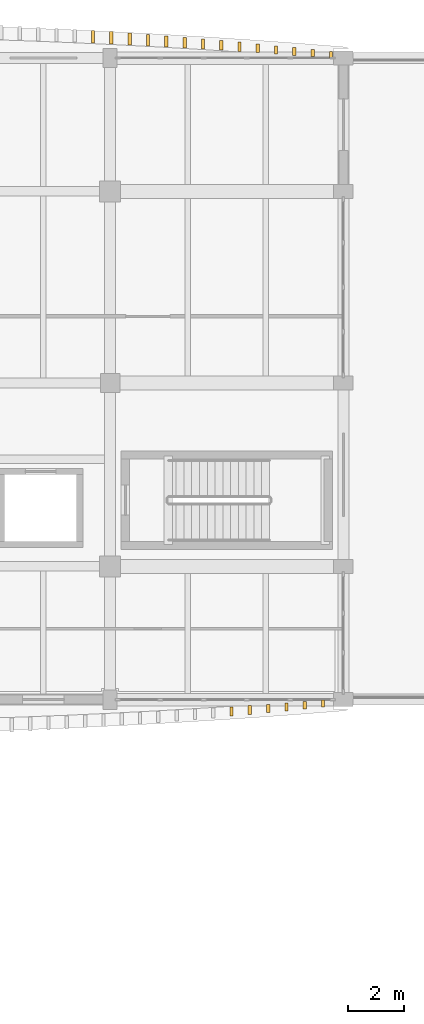
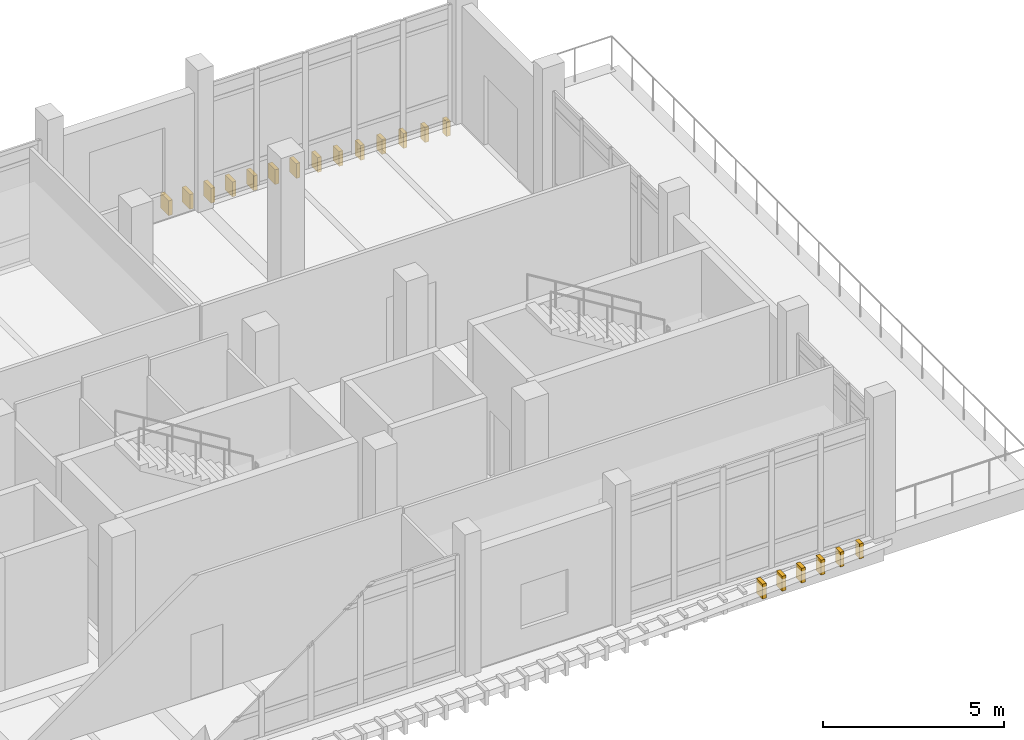
# One storey, part 45 of 50: 20 coverings.
"""IFC4 building model written with IfcOpenShell, lengths in metres."""

from ifc_helpers import new_model, si_unit, direction, frame, origin, origin_2d, place, context, subcontext, project, spatial, rectangle, extrude, material, layer, layer_set, type_object, element, save


model = new_model("IFC4")

# Units and contexts
model_context = context("Model", 3, precision=1e-05, world=origin(), true_north=direction((0.0, 1.0)))
body_context = subcontext(model_context, "Body", "Model", "MODEL_VIEW")
ifc_project = project(units=[si_unit("LENGTHUNIT", "METRE"), si_unit("AREAUNIT", "SQUARE_METRE"), si_unit("VOLUMEUNIT", "CUBIC_METRE"), si_unit("PLANEANGLEUNIT", "RADIAN"), si_unit("MASSUNIT", "GRAM", prefix="KILO")], contexts=[model_context])

# Site, building, storey
site_placement = place(None, origin())
site = spatial("IfcSite", under=ifc_project, at=site_placement, CompositionType="ELEMENT")
building_placement = place(site_placement, origin())
building = spatial("IfcBuilding", under=site, at=building_placement, Name="Dornvale Research Institute", CompositionType="ELEMENT")
storey_placement = place(building_placement, frame((0.0, 0.0, 19.800048828125)))
storey = spatial("IfcBuildingStorey", under=building, at=storey_placement, Name="L04", CompositionType="ELEMENT", Elevation=19.800048828125)

# Coverings
ifc_material = material(Name="Polychrome Glazed Terracotta Visor Rib Ceramic", Category="masonry")
ifc_layer = layer(ifc_material, 0.1201171875)
ifc_layer_set = layer_set([ifc_layer], Name="Polychrome Glazed Terracotta Visor Rib Ceramic")
covering_type = type_object("IfcCoveringType", Name="Covering_VisorBlade_Main", PredefinedType="CLADDING", material=ifc_layer_set)
covering_1_placement = place(storey_placement, frame((37.37451171875, 98.572998046875, -0.489990234375), z_axis=(0.0, 0.0, 1.0), x_axis=(0.0, 1.0, 0.0)))
element("IfcCovering", 1, at=covering_1_placement, inside=storey, type_object=covering_type, Name="L04 V5 canted glazed terracotta visor blade #679", PredefinedType="CLADDING", context=body_context, shape_type="SweptSolid", body=[
    extrude(rectangle(XDim=0.340087890625, YDim=0.1201171875, at=origin_2d()), origin(), (0.0, 0.0, 1.0), 0.5),
])
covering_2_placement = place(storey_placement, frame((38.033203125, 98.625244140625, -0.489990234375), z_axis=(0.0, 0.0, 1.0), x_axis=(0.0, 1.0, 0.0)))
element("IfcCovering", 2, at=covering_2_placement, inside=storey, type_object=covering_type, Name="L04 V5 canted glazed terracotta visor blade #680", PredefinedType="CLADDING", context=body_context, shape_type="SweptSolid", body=[
    extrude(rectangle(XDim=0.322021484375, YDim=0.1201171875, at=origin_2d()), origin(), (0.0, 0.0, 1.0), 0.5),
])
covering_3_placement = place(storey_placement, frame((38.69140625, 98.681884765625, -0.489990234375), z_axis=(0.0, 0.0, 1.0), x_axis=(0.0, 1.0, 0.0)))
element("IfcCovering", 3, at=covering_3_placement, inside=storey, type_object=covering_type, Name="L04 V5 canted glazed terracotta visor blade #681", PredefinedType="CLADDING", context=body_context, shape_type="SweptSolid", body=[
    extrude(rectangle(XDim=0.302978515625, YDim=0.1201171875, at=origin_2d()), origin(), (0.0, 0.0, 1.0), 0.5),
])
covering_4_placement = place(storey_placement, frame((39.349853515625, 98.739013671875, -0.489990234375), z_axis=(0.0, 0.0, 1.0), x_axis=(0.0, 1.0, 0.0)))
element("IfcCovering", 4, at=covering_4_placement, inside=storey, type_object=covering_type, Name="L04 V5 canted glazed terracotta visor blade #682", PredefinedType="CLADDING", context=body_context, shape_type="SweptSolid", body=[
    extrude(rectangle(XDim=0.283935546875, YDim=0.1201171875, at=origin_2d()), origin(), (0.0, 0.0, 1.0), 0.5),
])
covering_5_placement = place(storey_placement, frame((40.0078125, 98.798095703125, -0.489990234375), z_axis=(0.0, 0.0, 1.0), x_axis=(0.0, 1.0, 0.0)))
element("IfcCovering", 5, at=covering_5_placement, inside=storey, type_object=covering_type, Name="L04 V5 canted glazed terracotta visor blade #683", PredefinedType="CLADDING", context=body_context, shape_type="SweptSolid", body=[
    extrude(rectangle(XDim=0.263916015625, YDim=0.1201171875, at=origin_2d()), origin(), (0.0, 0.0, 1.0), 0.5),
])
covering_6_placement = place(storey_placement, frame((40.666015625, 98.860107421875, -0.489990234375), z_axis=(0.0, 0.0, 1.0), x_axis=(0.0, 1.0, 0.0)))
element("IfcCovering", 6, at=covering_6_placement, inside=storey, type_object=covering_type, Name="L04 V5 canted glazed terracotta visor blade #684", PredefinedType="CLADDING", context=body_context, shape_type="SweptSolid", body=[
    extrude(rectangle(XDim=0.243896484375, YDim=0.1201171875, at=origin_2d()), origin(), (0.0, 0.0, 1.0), 0.5),
])
covering_7_placement = place(storey_placement, frame((40.951416015625, 122.212890625, -0.489990234375), z_axis=(0.0, 0.0, 1.0), x_axis=(0.0, 1.0, 0.0)))
element("IfcCovering", 7, at=covering_7_placement, inside=storey, type_object=covering_type, Name="L04 V5 canted glazed terracotta visor blade #685", PredefinedType="CLADDING", context=body_context, shape_type="SweptSolid", body=[
    extrude(rectangle(XDim=0.235107421875, YDim=0.1201171875, at=origin_2d()), origin(), (0.0, 0.0, 1.0), 0.5),
])
covering_8_placement = place(storey_placement, frame((40.29345703125, 122.27490234375, -0.489990234375), z_axis=(0.0, 0.0, 1.0), x_axis=(0.0, 1.0, 0.0)))
element("IfcCovering", 8, at=covering_8_placement, inside=storey, type_object=covering_type, Name="L04 V5 canted glazed terracotta visor blade #686", PredefinedType="CLADDING", context=body_context, shape_type="SweptSolid", body=[
    extrude(rectangle(XDim=0.2548828125, YDim=0.1201171875, at=origin_2d()), origin(), (0.0, 0.0, 1.0), 0.5),
])
covering_9_placement = place(storey_placement, frame((39.635498046875, 122.33642578125, -0.489990234375), z_axis=(0.0, 0.0, 1.0), x_axis=(0.0, 1.0, 0.0)))
element("IfcCovering", 9, at=covering_9_placement, inside=storey, type_object=covering_type, Name="L04 V5 canted glazed terracotta visor blade #687", PredefinedType="CLADDING", context=body_context, shape_type="SweptSolid", body=[
    extrude(rectangle(XDim=0.27587890625, YDim=0.1201171875, at=origin_2d()), origin(), (0.0, 0.0, 1.0), 0.5),
])
covering_10_placement = place(storey_placement, frame((38.97705078125, 122.3935546875, -0.489990234375), z_axis=(0.0, 0.0, 1.0), x_axis=(0.0, 1.0, 0.0)))
element("IfcCovering", 10, at=covering_10_placement, inside=storey, type_object=covering_type, Name="L04 V5 canted glazed terracotta visor blade #688", PredefinedType="CLADDING", context=body_context, shape_type="SweptSolid", body=[
    extrude(rectangle(XDim=0.294921875, YDim=0.1201171875, at=origin_2d()), origin(), (0.0, 0.0, 1.0), 0.5),
])
covering_11_placement = place(storey_placement, frame((38.31884765625, 122.450439453125, -0.489990234375), z_axis=(0.0, 0.0, 1.0), x_axis=(0.0, 1.0, 0.0)))
element("IfcCovering", 11, at=covering_11_placement, inside=storey, type_object=covering_type, Name="L04 V5 canted glazed terracotta visor blade #689", PredefinedType="CLADDING", context=body_context, shape_type="SweptSolid", body=[
    extrude(rectangle(XDim=0.31396484375, YDim=0.1201171875, at=origin_2d()), origin(), (0.0, 0.0, 1.0), 0.5),
])
covering_12_placement = place(storey_placement, frame((37.660400390625, 122.50439453125, -0.489990234375), z_axis=(0.0, 0.0, 1.0), x_axis=(0.0, 1.0, 0.0)))
element("IfcCovering", 12, at=covering_12_placement, inside=storey, type_object=covering_type, Name="L04 V5 canted glazed terracotta visor blade #690", PredefinedType="CLADDING", context=body_context, shape_type="SweptSolid", body=[
    extrude(rectangle(XDim=0.33203125, YDim=0.1201171875, at=origin_2d()), origin(), (0.0, 0.0, 1.0), 0.5),
])
covering_13_placement = place(storey_placement, frame((37.001708984375, 122.55615234375, -0.489990234375), z_axis=(0.0, 0.0, 1.0), x_axis=(0.0, 1.0, 0.0)))
element("IfcCovering", 13, at=covering_13_placement, inside=storey, type_object=covering_type, Name="L04 V5 canted glazed terracotta visor blade #691", PredefinedType="CLADDING", context=body_context, shape_type="SweptSolid", body=[
    extrude(rectangle(XDim=0.34912109375, YDim=0.1201171875, at=origin_2d()), origin(), (0.0, 0.0, 1.0), 0.5),
])
covering_14_placement = place(storey_placement, frame((36.34326171875, 122.607421875, -0.489990234375), z_axis=(0.0, 0.0, 1.0), x_axis=(0.0, 1.0, 0.0)))
element("IfcCovering", 14, at=covering_14_placement, inside=storey, type_object=covering_type, Name="L04 V5 canted glazed terracotta visor blade #692", PredefinedType="CLADDING", context=body_context, shape_type="SweptSolid", body=[
    extrude(rectangle(XDim=0.365966796875, YDim=0.1201171875, at=origin_2d()), origin(), (0.0, 0.0, 1.0), 0.5),
])
covering_15_placement = place(storey_placement, frame((35.684326171875, 122.654296875, -0.489990234375), z_axis=(0.0, 0.0, 1.0), x_axis=(0.0, 1.0, 0.0)))
element("IfcCovering", 15, at=covering_15_placement, inside=storey, type_object=covering_type, Name="L04 V5 canted glazed terracotta visor blade #693", PredefinedType="CLADDING", context=body_context, shape_type="SweptSolid", body=[
    extrude(rectangle(XDim=0.382080078125, YDim=0.1201171875, at=origin_2d()), origin(), (0.0, 0.0, 1.0), 0.5),
])
covering_16_placement = place(storey_placement, frame((35.025390625, 122.70068359375, -0.489990234375), z_axis=(0.0, 0.0, 1.0), x_axis=(0.0, 1.0, 0.0)))
element("IfcCovering", 16, at=covering_16_placement, inside=storey, type_object=covering_type, Name="L04 V5 canted glazed terracotta visor blade #694", PredefinedType="CLADDING", context=body_context, shape_type="SweptSolid", body=[
    extrude(rectangle(XDim=0.39697265625, YDim=0.1201171875, at=origin_2d()), origin(), (0.0, 0.0, 1.0), 0.5),
])
covering_17_placement = place(storey_placement, frame((34.366455078125, 122.744384765625, -0.489990234375), z_axis=(0.0, 0.0, 1.0), x_axis=(0.0, 1.0, 0.0)))
element("IfcCovering", 17, at=covering_17_placement, inside=storey, type_object=covering_type, Name="L04 V5 canted glazed terracotta visor blade #695", PredefinedType="CLADDING", context=body_context, shape_type="SweptSolid", body=[
    extrude(rectangle(XDim=0.412109375, YDim=0.1201171875, at=origin_2d()), origin(), (0.0, 0.0, 1.0), 0.5),
])
covering_18_placement = place(storey_placement, frame((33.70751953125, 122.7861328125, -0.489990234375), z_axis=(0.0, 0.0, 1.0), x_axis=(0.0, 1.0, 0.0)))
element("IfcCovering", 18, at=covering_18_placement, inside=storey, type_object=covering_type, Name="L04 V5 canted glazed terracotta visor blade #696", PredefinedType="CLADDING", context=body_context, shape_type="SweptSolid", body=[
    extrude(rectangle(XDim=0.426025390625, YDim=0.1201171875, at=origin_2d()), origin(), (0.0, 0.0, 1.0), 0.5),
])
covering_19_placement = place(storey_placement, frame((33.04833984375, 122.826904296875, -0.489990234375), z_axis=(0.0, 0.0, 1.0), x_axis=(0.0, 1.0, 0.0)))
element("IfcCovering", 19, at=covering_19_placement, inside=storey, type_object=covering_type, Name="L04 V5 canted glazed terracotta visor blade #697", PredefinedType="CLADDING", context=body_context, shape_type="SweptSolid", body=[
    extrude(rectangle(XDim=0.43896484375, YDim=0.1201171875, at=origin_2d()), origin(), (0.0, 0.0, 1.0), 0.5),
])
covering_20_placement = place(storey_placement, frame((32.388916015625, 122.863525390625, -0.489990234375), z_axis=(0.0, 0.0, 1.0), x_axis=(0.0, 1.0, 0.0)))
element("IfcCovering", 20, at=covering_20_placement, inside=storey, type_object=covering_type, Name="L04 V5 canted glazed terracotta visor blade #698", PredefinedType="CLADDING", context=body_context, shape_type="SweptSolid", body=[
    extrude(rectangle(XDim=0.451904296875, YDim=0.1201171875, at=origin_2d()), origin(), (0.0, 0.0, 1.0), 0.5),
])

save(model, "model.ifc")
